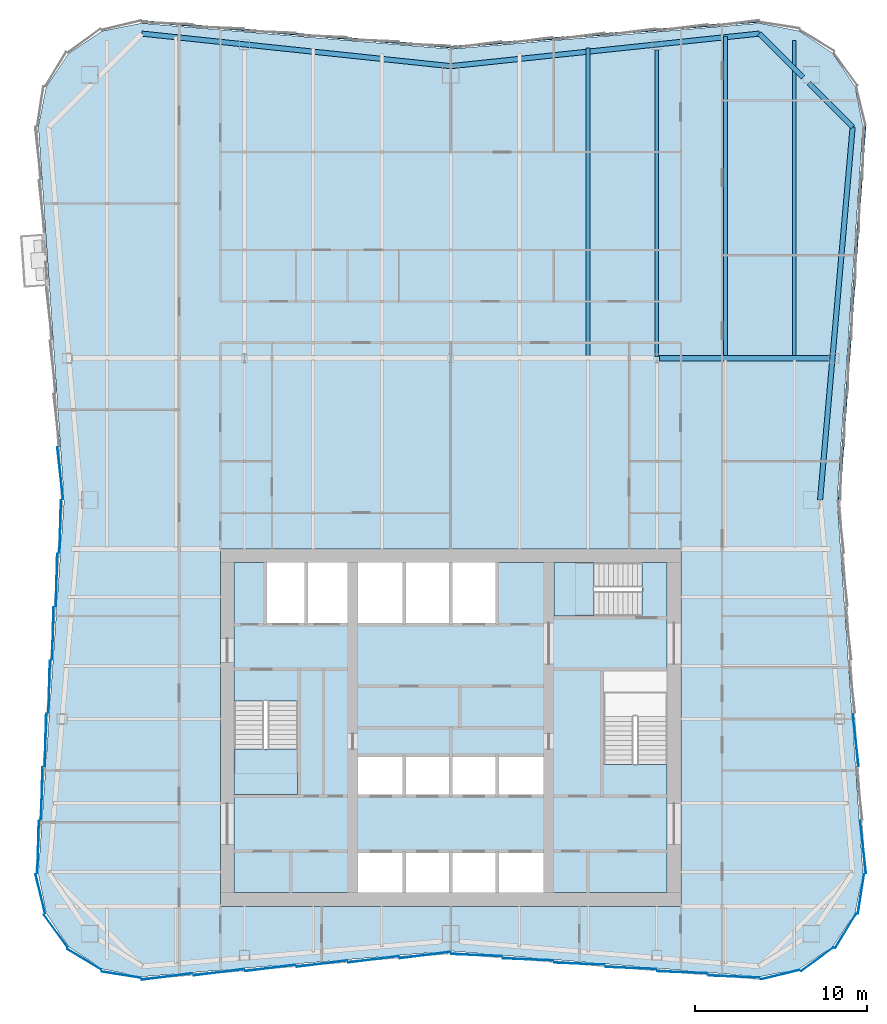
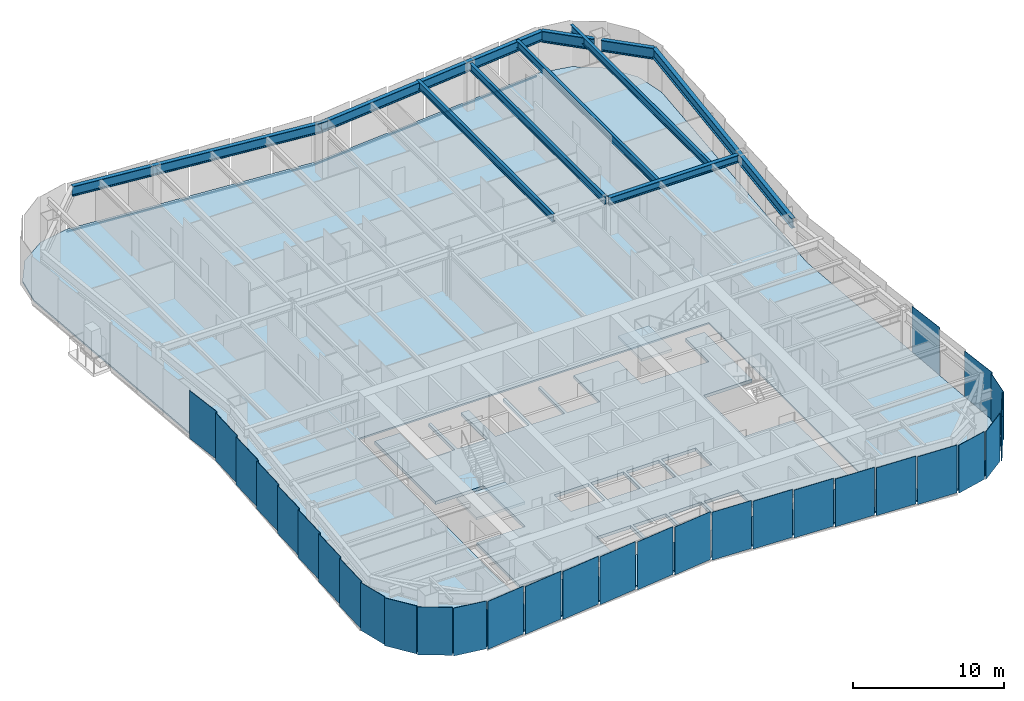
# One storey, part 4 of 12: 30 plates, 10 beams, 4 slabs, 3 members, 8 elements without a shape of their own.
"""IFC4 building model written with IfcOpenShell, lengths in metres."""

from ifc_helpers import new_model, si_unit, direction, frame, origin, origin_2d, place, context, subcontext, project, spatial, polyline, rectangle, i_section, outline, extrude, material, layer, layer_set, material_profile, profile_set, type_object, element, aggregate, save


model = new_model("IFC4")

# Units and contexts
model_context = context("Model", 3, precision=1e-05, world=origin(), true_north=direction((0.0, 1.0)))
body_context = subcontext(model_context, "Body", "Model", "MODEL_VIEW")
ifc_project = project(units=[si_unit("LENGTHUNIT", "METRE"), si_unit("AREAUNIT", "SQUARE_METRE"), si_unit("VOLUMEUNIT", "CUBIC_METRE"), si_unit("PLANEANGLEUNIT", "RADIAN"), si_unit("MASSUNIT", "GRAM", prefix="KILO")], contexts=[model_context])

# Site, building, storey
site_placement = place(None, origin())
site = spatial("IfcSite", under=ifc_project, at=site_placement, CompositionType="ELEMENT")
building_placement = place(site_placement, origin())
building = spatial("IfcBuilding", under=site, at=building_placement, Name="Verdant Reach Tower", CompositionType="ELEMENT")
storey_placement = place(building_placement, frame((0.0, 0.0, 246.0)))
storey = spatial("IfcBuildingStorey", under=building, at=storey_placement, Name="L56", CompositionType="ELEMENT", Elevation=246.0)

# Curtain wall, member
ifc_material_1 = material(Name="Anodised aluminium", Category="aluminium")
curtain_wall_type = type_object("IfcCurtainWallType", Name="EN-CW SYSTEM Z4", PredefinedType="NOTDEFINED", material=ifc_material_1)
curtain_wall_1_placement = place(storey_placement, origin())
curtain_wall_1 = element("IfcCurtainWall", 1, at=curtain_wall_1_placement, inside=storey, type_object=curtain_wall_type, Name="Curtain wall east, L56", PredefinedType="NOTDEFINED")
ifc_material_profile_1 = material_profile(ifc_material_1, rectangle(XDim=0.10009765625, YDim=0.1279296875, at=origin_2d()), Name="Transom 128x100")
ifc_profile_set_1 = profile_set([ifc_material_profile_1], Name="Anodised aluminium")
member_type = type_object("IfcMemberType", Name="EN-TRANSOM Z4", PredefinedType="USERDEFINED", material=ifc_profile_set_1)
member_1_placement = place(storey_placement, frame((22.6142578125, 41.283935546875, -0.285888671875), z_axis=(0.068770489035, 0.997632507408, 0.0), x_axis=(-0.997632507408, 0.068770489035, 0.0)))
member_1 = element("IfcMember", 2, at=member_1_placement, type_object=member_type, Name="Transom east face part 2 1.1, L56", ObjectType="TRANSOM", PredefinedType="USERDEFINED", context=body_context, shape_type="SweptSolid", body=[
    extrude(rectangle(XDim=0.10009765625, YDim=0.1279296875, at=origin_2d()), origin(), (0.0, 0.0, 1.0), 21.74072265625),
])

# Curtain wall, members
curtain_wall_2_placement = place(storey_placement, origin())
curtain_wall_2 = element("IfcCurtainWall", 3, at=curtain_wall_2_placement, inside=storey, type_object=curtain_wall_type, Name="Curtain wall north, L56", PredefinedType="NOTDEFINED")
member_2_placement = place(storey_placement, frame((17.972412109375, 69.10888671875, -0.285888671875), z_axis=(-0.996549124771, -0.083005071637, 0.0), x_axis=(0.083005071637, -0.996549124771, 0.0)))
member_2 = element("IfcMember", 4, at=member_2_placement, type_object=member_type, Name="Transom north face part 1 1.1, L56", ObjectType="TRANSOM", PredefinedType="USERDEFINED", context=body_context, shape_type="SweptSolid", body=[
    extrude(rectangle(XDim=0.10009765625, YDim=0.1279296875, at=origin_2d()), origin(), (0.0, 0.0, 1.0), 18.00048828125),
])
member_3_placement = place(storey_placement, frame((-0.033935546875, 67.61474609375, -0.285888671875), z_axis=(-0.996549124771, 0.083005071637, 0.0), x_axis=(-0.083005071637, -0.996549124771, 0.0)))
member_3 = element("IfcMember", 5, at=member_3_placement, type_object=member_type, Name="Transom north face part 2 1.1, L56", ObjectType="TRANSOM", PredefinedType="USERDEFINED", context=body_context, shape_type="SweptSolid", body=[
    extrude(rectangle(XDim=0.10009765625, YDim=0.1279296875, at=origin_2d()), origin(), (0.0, 0.0, 1.0), 18.00048828125),
])
aggregate(curtain_wall_2, [member_2, member_3])

# Beams
ifc_material_2 = material(Name="Steel S355", Category="steel")
ifc_material_profile_2 = material_profile(ifc_material_2, i_section(OverallWidth=0.300048828125, OverallDepth=0.60009765625, WebThickness=0.015380859375, FlangeThickness=0.030029296875, FilletRadius=0.027099609375, at=origin_2d()), Name="HEB 600")
ifc_profile_set_2 = profile_set([ifc_material_profile_2], Name="Steel S355")
beam_type_1 = type_object("IfcBeamType", Name="ST-BEAM-HEB600", PredefinedType="BEAM", material=ifc_profile_set_2)
beam_1_placement = place(storey_placement, frame((12.153076171875, 49.5, 3.570068359375), z_axis=(1.0, 0.0, 0.0), x_axis=(0.0, 1.0, 0.0)))
element("IfcBeam", 6, at=beam_1_placement, inside=storey, type_object=beam_type_1, Name="Row girder, L56", PredefinedType="BEAM", context=body_context, shape_type="SweptSolid", body=[
    extrude(i_section(OverallWidth=0.300048828125, OverallDepth=0.60009765625, WebThickness=0.015380859375, FlangeThickness=0.030029296875, FilletRadius=0.027099609375, at=origin_2d()), origin(), (0.0, 0.0, 1.0), 9.865966796875),
])
ifc_material_profile_3 = material_profile(ifc_material_2, i_section(OverallWidth=0.219970703125, OverallDepth=0.60009765625, WebThickness=0.011962890625, FlangeThickness=0.01904296875, FilletRadius=0.02392578125, at=origin_2d()), Name="IPE 600")
ifc_profile_set_3 = profile_set([ifc_material_profile_3], Name="Steel S355")
beam_type_2 = type_object("IfcBeamType", Name="ST-JOIST-IPE600", PredefinedType="JOIST", material=ifc_profile_set_3)
beam_2_placement = place(storey_placement, frame((8.0, 49.60009765625, 3.570068359375), z_axis=(0.0, 1.0, 0.0), x_axis=(-1.0, 0.0, 0.0)))
element("IfcBeam", 7, at=beam_2_placement, inside=storey, type_object=beam_type_2, Name="Floor joist, L56", PredefinedType="JOIST", context=body_context, shape_type="SweptSolid", body=[
    extrude(i_section(OverallWidth=0.219970703125, OverallDepth=0.60009765625, WebThickness=0.011962890625, FlangeThickness=0.01904296875, FilletRadius=0.02392578125, at=origin_2d()), origin(), (0.0, 0.0, 1.0), 17.964599609375),
])
beam_3_placement = place(storey_placement, frame((12.0, 49.60009765625, 3.570068359375), z_axis=(0.0, 1.0, 0.0), x_axis=(-1.0, 0.0, 0.0)))
element("IfcBeam", 8, at=beam_3_placement, inside=storey, type_object=beam_type_2, Name="Floor joist, L56", PredefinedType="JOIST", context=body_context, shape_type="SweptSolid", body=[
    extrude(i_section(OverallWidth=0.219970703125, OverallDepth=0.60009765625, WebThickness=0.011962890625, FlangeThickness=0.01904296875, FilletRadius=0.02392578125, at=origin_2d()), origin(), (0.0, 0.0, 1.0), 17.849853515625),
])
beam_4_placement = place(storey_placement, frame((16.0, 49.60009765625, 3.570068359375), z_axis=(0.0, 1.0, 0.0), x_axis=(-1.0, 0.0, 0.0)))
element("IfcBeam", 9, at=beam_4_placement, inside=storey, type_object=beam_type_2, Name="Floor joist, L56", PredefinedType="JOIST", context=body_context, shape_type="SweptSolid", body=[
    extrude(i_section(OverallWidth=0.219970703125, OverallDepth=0.60009765625, WebThickness=0.011962890625, FlangeThickness=0.01904296875, FilletRadius=0.02392578125, at=origin_2d()), origin(), (0.0, 0.0, 1.0), 18.631103515625),
])
beam_5_placement = place(storey_placement, frame((20.0, 49.60009765625, 3.570068359375), z_axis=(0.0, 1.0, 0.0), x_axis=(-1.0, 0.0, 0.0)))
element("IfcBeam", 10, at=beam_5_placement, inside=storey, type_object=beam_type_2, Name="Floor joist, L56", PredefinedType="JOIST", context=body_context, shape_type="SweptSolid", body=[
    extrude(i_section(OverallWidth=0.219970703125, OverallDepth=0.60009765625, WebThickness=0.011962890625, FlangeThickness=0.01904296875, FilletRadius=0.02392578125, at=origin_2d()), origin(), (0.0, 0.0, 1.0), 18.390380859375),
])
ifc_material_profile_4 = material_profile(ifc_material_2, i_section(OverallWidth=0.300048828125, OverallDepth=0.800048828125, WebThickness=0.017578125, FlangeThickness=0.032958984375, FilletRadius=0.030029296875, at=origin_2d()), Name="HEB 800")
ifc_profile_set_4 = profile_set([ifc_material_profile_4], Name="Steel S355")
beam_type_3 = type_object("IfcBeamType", Name="ST-SPANDREL-HEB800", PredefinedType="SPANDREL", material=ifc_profile_set_4)
for number, where, z_axis, x_axis, name in (
    (11, (-17.9658203125, 68.39501953125, 3.469970703125), (0.994483067002, -0.104897232783, 0.0), (0.104897232783, 0.994483067002, 0.0), "Edge beam, L56"),
    (12, (0.0, 66.5, 3.469970703125), (0.994483067002, 0.104897232783, 0.0), (-0.104897232783, 0.994483067002, 0.0), "Edge beam, L56"),
):
    element("IfcBeam", number, at=place(storey_placement, frame(where, z_axis=z_axis, x_axis=x_axis)), inside=storey, type_object=beam_type_3, Name=name, PredefinedType="SPANDREL", context=body_context, shape_type="SweptSolid", body=[
        extrude(i_section(OverallWidth=0.300048828125, OverallDepth=0.800048828125, WebThickness=0.017578125, FlangeThickness=0.032958984375, FilletRadius=0.030029296875, at=origin_2d()), origin(), (0.0, 0.0, 1.0), 18.0654296875),
    ])
beam_6_placement = place(storey_placement, frame((23.39599609375, 62.96142578125, 3.469970703125), z_axis=(-0.086996024331, -0.996208658741, 0.0), x_axis=(0.996208658741, -0.086996024331, 0.0)))
element("IfcBeam", 13, at=beam_6_placement, inside=storey, type_object=beam_type_3, Name="Edge beam, L56", PredefinedType="SPANDREL", context=body_context, shape_type="SweptSolid", body=[
    extrude(i_section(OverallWidth=0.300048828125, OverallDepth=0.800048828125, WebThickness=0.017578125, FlangeThickness=0.032958984375, FilletRadius=0.030029296875, at=origin_2d()), origin(), (0.0, 0.0, 1.0), 21.7939453125),
])
ifc_material_profile_5 = material_profile(ifc_material_2, i_section(OverallWidth=0.302001953125, OverallDepth=0.909912109375, WebThickness=0.02099609375, FlangeThickness=0.0400390625, FilletRadius=0.030029296875, at=origin_2d()), Name="HEM 900")
ifc_profile_set_5 = profile_set([ifc_material_profile_5], Name="Steel S355")
beam_type_4 = type_object("IfcBeamType", Name="ST-SPANDREL-HEM900", PredefinedType="SPANDREL", material=ifc_profile_set_5)
beam_7_placement = place(storey_placement, frame((17.9658203125, 68.39501953125, 3.4150390625), z_axis=(0.706868394255, -0.707345087777, 0.0), x_axis=(0.707345087777, 0.706868394255, 0.0)))
element("IfcBeam", 14, at=beam_7_placement, inside=storey, type_object=beam_type_4, Name="Edge beam, L56", PredefinedType="SPANDREL", context=body_context, shape_type="SweptSolid", body=[
    extrude(i_section(OverallWidth=0.302001953125, OverallDepth=0.909912109375, WebThickness=0.02099609375, FlangeThickness=0.0400390625, FilletRadius=0.030029296875, at=origin_2d()), origin(), (0.0, 0.0, 1.0), 3.5849609375),
])
beam_8_placement = place(storey_placement, frame((20.85888671875, 65.5, 3.4150390625), z_axis=(0.706902680526, -0.707310822952, 0.0), x_axis=(0.707310822952, 0.706902680526, 0.0)))
element("IfcBeam", 15, at=beam_8_placement, inside=storey, type_object=beam_type_4, Name="Edge beam, L56", PredefinedType="SPANDREL", context=body_context, shape_type="SweptSolid", body=[
    extrude(i_section(OverallWidth=0.302001953125, OverallDepth=0.909912109375, WebThickness=0.02099609375, FlangeThickness=0.0400390625, FilletRadius=0.030029296875, at=origin_2d()), origin(), (0.0, 0.0, 1.0), 3.589111328125),
])

# Stair, slab
ifc_material_3 = material(Name="Concrete C40/50", Category="concrete")
stair_type = type_object("IfcStairType", Name="CO-STAIR", PredefinedType="HALF_TURN_STAIR", material=ifc_material_3)
stair_1_placement = place(storey_placement, origin())
stair_1 = element("IfcStair", 16, at=stair_1_placement, inside=storey, type_object=stair_type, Name="L56 Exit stair 1", PredefinedType="HALF_TURN_STAIR")
ifc_layer_1 = layer(ifc_material_3, 0.199951171875)
ifc_layer_set_1 = layer_set([ifc_layer_1], Name="CO-STAIR-LANDING")
slab_type_1 = type_object("IfcSlabType", Name="CO-STAIR-LANDING", PredefinedType="LANDING", material=ifc_layer_set_1)
slab_1_placement = place(storey_placement, frame((0.0, 0.0, 1.800048828125)))
slab_1 = element("IfcSlab", 17, at=slab_1_placement, type_object=slab_type_1, Name="ST-1 landing 1", PredefinedType="LANDING", context=body_context, shape_type="SweptSolid", body=[
    extrude(outline(polyline([(-12.60009765625, 26.75), (-12.60009765625, 24.10009765625), (-8.89990234375, 24.10009765625), (-8.89990234375, 26.75), (-12.60009765625, 26.75)])), origin(), (0.0, 0.0, 1.0), 0.199951171875),
])
aggregate(stair_1, [slab_1])

stair_2_placement = place(storey_placement, origin())
stair_2 = element("IfcStair", 18, at=stair_2_placement, inside=storey, type_object=stair_type, Name="L56 Exit stair 3", PredefinedType="HALF_TURN_STAIR")
slab_2_placement = place(storey_placement, frame((0.0, 0.0, 1.800048828125)))
slab_2 = element("IfcSlab", 19, at=slab_2_placement, type_object=slab_type_1, Name="ST-3 landing 1", PredefinedType="LANDING", context=body_context, shape_type="SweptSolid", body=[
    extrude(outline(polyline([(8.35009765625, 37.60009765625), (6.0, 37.60009765625), (6.0, 34.5), (8.35009765625, 34.5), (8.35009765625, 37.60009765625)])), origin(), (0.0, 0.0, 1.0), 0.199951171875),
])
aggregate(stair_2, [slab_2])

# Plate
ifc_material_4 = material(Name="Tinted glass with champagne spandrel", Category="glass")
ifc_layer_2 = layer(ifc_material_4, 0.031982421875)
ifc_layer_set_2 = layer_set([ifc_layer_2], Name="EN-PANEL CHAMPAGNE")
plate_type_1 = type_object("IfcPlateType", Name="EN-PANEL CHAMPAGNE", PredefinedType="CURTAIN_PANEL", material=ifc_layer_set_2)
plate_1_placement = place(storey_placement, frame((23.575927734375, 27.275634765625, -0.221923828125), z_axis=(0.0, 0.0, 1.0), x_axis=(-0.110518162674, 0.993874104562, 0.0)))
plate_1 = element("IfcPlate", 20, at=plate_1_placement, type_object=plate_type_1, Name="Glass panel east face part 1 3.1, L56", PredefinedType="CURTAIN_PANEL", context=body_context, shape_type="SweptSolid", body=[
    extrude(rectangle(XDim=3.050537109375, YDim=0.031982421875, at=origin_2d()), origin(), (0.0, 0.0, 1.0), 3.8720703125),
])

# Curtain wall, plates
curtain_wall_3_placement = place(storey_placement, origin())
curtain_wall_3 = element("IfcCurtainWall", 21, at=curtain_wall_3_placement, inside=storey, type_object=curtain_wall_type, Name="Curtain wall west, L56", PredefinedType="NOTDEFINED")
plate_2_placement = place(storey_placement, frame((-22.718994140625, 42.7998046875, -0.221923828125), z_axis=(0.0, 0.0, 1.0), x_axis=(0.110603065042, -0.993864659802, 0.0)))
plate_2 = element("IfcPlate", 22, at=plate_2_placement, type_object=plate_type_1, Name="Glass panel west face part 1 7.1, L56", PredefinedType="CURTAIN_PANEL", context=body_context, shape_type="SweptSolid", body=[
    extrude(rectangle(XDim=3.042724609375, YDim=0.031982421875, at=origin_2d()), origin(), (0.0, 0.0, 1.0), 3.8720703125),
])
plate_3_placement = place(storey_placement, frame((-22.718994140625, 39.7001953125, -0.221923828125), z_axis=(0.0, 0.0, 1.0), x_axis=(-0.027050713229, -0.999634062502, 0.0)))
plate_3 = element("IfcPlate", 23, at=plate_3_placement, type_object=plate_type_1, Name="Glass panel west face part 2 1.1, L56", PredefinedType="CURTAIN_PANEL", context=body_context, shape_type="SweptSolid", body=[
    extrude(rectangle(XDim=3.042724609375, YDim=0.031982421875, at=origin_2d()), origin(), (0.0, 0.0, 1.0), 3.8720703125),
])
plate_4_placement = place(storey_placement, frame((-22.93310546875, 36.596923828125, -0.221923828125), z_axis=(0.0, 0.0, 1.0), x_axis=(-0.026965318308, -0.999636369691, 0.0)))
plate_4 = element("IfcPlate", 24, at=plate_4_placement, type_object=plate_type_1, Name="Glass panel west face part 2 2.1, L56", PredefinedType="CURTAIN_PANEL", context=body_context, shape_type="SweptSolid", body=[
    extrude(rectangle(XDim=3.050537109375, YDim=0.031982421875, at=origin_2d()), origin(), (0.0, 0.0, 1.0), 3.8720703125),
])
plate_5_placement = place(storey_placement, frame((-23.1474609375, 33.48974609375, -0.221923828125), z_axis=(0.0, 0.0, 1.0), x_axis=(-0.026965318308, -0.999636369691, 0.0)))
plate_5 = element("IfcPlate", 25, at=plate_5_placement, type_object=plate_type_1, Name="Glass panel west face part 2 3.1, L56", PredefinedType="CURTAIN_PANEL", context=body_context, shape_type="SweptSolid", body=[
    extrude(rectangle(XDim=3.050537109375, YDim=0.031982421875, at=origin_2d()), origin(), (0.0, 0.0, 1.0), 3.8720703125),
])

# Curtain wall, plate
curtain_wall_4_placement = place(storey_placement, origin())
curtain_wall_4 = element("IfcCurtainWall", 26, at=curtain_wall_4_placement, inside=storey, type_object=curtain_wall_type, Name="Curtain wall south-west corner, L56", PredefinedType="NOTDEFINED")
plate_6_placement = place(storey_placement, frame((-23.87939453125, 18.326904296875, -0.221923828125), z_axis=(0.0, 0.0, 1.0), x_axis=(0.236458850433, -0.971641503875, 0.0)))
plate_6 = element("IfcPlate", 27, at=plate_6_placement, type_object=plate_type_1, Name="Glass panel south-west corner 1.1, L56", PredefinedType="CURTAIN_PANEL", context=body_context, shape_type="SweptSolid", body=[
    extrude(rectangle(XDim=2.313720703125, YDim=0.031982421875, at=origin_2d()), origin(), (0.0, 0.0, 1.0), 3.8720703125),
])

# Curtain wall, plates
curtain_wall_5_placement = place(storey_placement, origin())
curtain_wall_5 = element("IfcCurtainWall", 28, at=curtain_wall_5_placement, inside=storey, type_object=curtain_wall_type, Name="Curtain wall south, L56", PredefinedType="NOTDEFINED")
plate_7_placement = place(storey_placement, frame((-4.49072265625, 14.513427734375, -0.221923828125), z_axis=(0.0, 0.0, 1.0), x_axis=(0.992194034542, 0.124703639961, 0.0)))
plate_7 = element("IfcPlate", 29, at=plate_7_placement, type_object=plate_type_1, Name="Glass panel south face part 1 5.1, L56", PredefinedType="CURTAIN_PANEL", context=body_context, shape_type="SweptSolid", body=[
    extrude(rectangle(XDim=2.9462890625, YDim=0.031982421875, at=origin_2d()), origin(), (0.0, 0.0, 1.0), 3.8720703125),
])
plate_8_placement = place(storey_placement, frame((-1.495361328125, 14.76318359375, -0.221923828125), z_axis=(0.0, 0.0, 1.0), x_axis=(0.992177950603, 0.124831543836, 0.0)))
plate_8 = element("IfcPlate", 30, at=plate_8_placement, type_object=plate_type_1, Name="Glass panel south face part 1 6.1, L56", PredefinedType="CURTAIN_PANEL", context=body_context, shape_type="SweptSolid", body=[
    extrude(rectangle(XDim=2.93701171875, YDim=0.031982421875, at=origin_2d()), origin(), (0.0, 0.0, 1.0), 3.8720703125),
])
plate_9_placement = place(storey_placement, frame((16.49853515625, 13.51318359375, -0.221923828125), z_axis=(0.0, 0.0, 1.0), x_axis=(0.999164016711, -0.040881141246, 0.0)))
plate_9 = element("IfcPlate", 31, at=plate_9_placement, type_object=plate_type_1, Name="Glass panel south face part 2 6.1, L56", PredefinedType="CURTAIN_PANEL", context=body_context, shape_type="SweptSolid", body=[
    extrude(rectangle(XDim=2.9619140625, YDim=0.031982421875, at=origin_2d()), origin(), (0.0, 0.0, 1.0), 3.8720703125),
])

# Curtain wall, plate
curtain_wall_6_placement = place(storey_placement, origin())
curtain_wall_6 = element("IfcCurtainWall", 32, at=curtain_wall_6_placement, inside=storey, type_object=curtain_wall_type, Name="Curtain wall south-east corner, L56", PredefinedType="NOTDEFINED")
ifc_material_5 = material(Name="Tinted glass with copper spandrel", Category="glass")
ifc_layer_3 = layer(ifc_material_5, 0.031982421875)
ifc_layer_set_3 = layer_set([ifc_layer_3], Name="EN-PANEL COPPER")
plate_type_2 = type_object("IfcPlateType", Name="EN-PANEL COPPER", PredefinedType="CURTAIN_PANEL", material=ifc_layer_set_3)
plate_10_placement = place(storey_placement, frame((19.172607421875, 13.62060546875, -0.221923828125), z_axis=(0.0, 0.0, 1.0), x_axis=(0.971652337104, 0.236414330786, 0.0)))
plate_10 = element("IfcPlate", 33, at=plate_10_placement, type_object=plate_type_2, Name="Glass panel south-east corner 1.1, L56", PredefinedType="CURTAIN_PANEL", context=body_context, shape_type="SweptSolid", body=[
    extrude(rectangle(XDim=2.314453125, YDim=0.031982421875, at=origin_2d()), origin(), (0.0, 0.0, 1.0), 3.8720703125),
])

# Plate
plate_11_placement = place(storey_placement, frame((-23.36181640625, 30.3828125, -0.221923828125), z_axis=(0.0, 0.0, 1.0), x_axis=(-0.026965318308, -0.999636369691, 0.0)))
plate_11 = element("IfcPlate", 34, at=plate_11_placement, type_object=plate_type_2, Name="Glass panel west face part 2 4.1, L56", PredefinedType="CURTAIN_PANEL", context=body_context, shape_type="SweptSolid", body=[
    extrude(rectangle(XDim=3.050537109375, YDim=0.031982421875, at=origin_2d()), origin(), (0.0, 0.0, 1.0), 3.8720703125),
])

plate_12_placement = place(storey_placement, frame((-23.575927734375, 27.275634765625, -0.221923828125), z_axis=(0.0, 0.0, 1.0), x_axis=(-0.026965318308, -0.999636369691, 0.0)))
plate_12 = element("IfcPlate", 35, at=plate_12_placement, type_object=plate_type_2, Name="Glass panel west face part 2 5.1, L56", PredefinedType="CURTAIN_PANEL", context=body_context, shape_type="SweptSolid", body=[
    extrude(rectangle(XDim=3.050537109375, YDim=0.031982421875, at=origin_2d()), origin(), (0.0, 0.0, 1.0), 3.8720703125),
])

plate_13_placement = place(storey_placement, frame((-22.984375, 16.169677734375, -0.221923828125), z_axis=(0.0, 0.0, 1.0), x_axis=(0.589926737254, -0.80745677573, 0.0)))
plate_13 = element("IfcPlate", 36, at=plate_13_placement, type_object=plate_type_2, Name="Glass panel south-west corner 2.1, L56", PredefinedType="CURTAIN_PANEL", context=body_context, shape_type="SweptSolid", body=[
    extrude(rectangle(XDim=2.32080078125, YDim=0.031982421875, at=origin_2d()), origin(), (0.0, 0.0, 1.0), 3.8720703125),
])

plate_14_placement = place(storey_placement, frame((-21.330322265625, 14.515625, -0.221923828125), z_axis=(0.0, 0.0, 1.0), x_axis=(0.853988708265, -0.520291539577, 0.0)))
plate_14 = element("IfcPlate", 37, at=plate_14_placement, type_object=plate_type_2, Name="Glass panel south-west corner 3.1, L56", PredefinedType="CURTAIN_PANEL", context=body_context, shape_type="SweptSolid", body=[
    extrude(rectangle(XDim=2.32080078125, YDim=0.031982421875, at=origin_2d()), origin(), (0.0, 0.0, 1.0), 3.8720703125),
])

plate_15_placement = place(storey_placement, frame((-19.172607421875, 13.62060546875, -0.221923828125), z_axis=(0.0, 0.0, 1.0), x_axis=(0.98802725693, -0.154279420415, 0.0)))
plate_15 = element("IfcPlate", 38, at=plate_15_placement, type_object=plate_type_2, Name="Glass panel south-west corner 4.1, L56", PredefinedType="CURTAIN_PANEL", context=body_context, shape_type="SweptSolid", body=[
    extrude(rectangle(XDim=2.314453125, YDim=0.031982421875, at=origin_2d()), origin(), (0.0, 0.0, 1.0), 3.8720703125),
])

aggregate(curtain_wall_4, [plate_6, plate_13, plate_14, plate_15])

plate_16_placement = place(storey_placement, frame((-16.49853515625, 13.51318359375, -0.221923828125), z_axis=(0.0, 0.0, 1.0), x_axis=(0.992238962139, 0.124345655383, 0.0)))
plate_16 = element("IfcPlate", 39, at=plate_16_placement, type_object=plate_type_2, Name="Glass panel south face part 1 1.1, L56", PredefinedType="CURTAIN_PANEL", context=body_context, shape_type="SweptSolid", body=[
    extrude(rectangle(XDim=2.9619140625, YDim=0.031982421875, at=origin_2d()), origin(), (0.0, 0.0, 1.0), 3.8720703125),
])

plate_17_placement = place(storey_placement, frame((1.495361328125, 14.76318359375, -0.221923828125), z_axis=(0.0, 0.0, 1.0), x_axis=(0.999143877249, -0.041370430933, 0.0)))
plate_17 = element("IfcPlate", 40, at=plate_17_placement, type_object=plate_type_2, Name="Glass panel south face part 2 1.1, L56", PredefinedType="CURTAIN_PANEL", context=body_context, shape_type="SweptSolid", body=[
    extrude(rectangle(XDim=2.93701171875, YDim=0.031982421875, at=origin_2d()), origin(), (0.0, 0.0, 1.0), 3.8720703125),
])

plate_18_placement = place(storey_placement, frame((4.49072265625, 14.513427734375, -0.221923828125), z_axis=(0.0, 0.0, 1.0), x_axis=(0.999149202059, -0.041241629766, 0.0)))
plate_18 = element("IfcPlate", 41, at=plate_18_placement, type_object=plate_type_2, Name="Glass panel south face part 2 2.1, L56", PredefinedType="CURTAIN_PANEL", context=body_context, shape_type="SweptSolid", body=[
    extrude(rectangle(XDim=2.9462890625, YDim=0.031982421875, at=origin_2d()), origin(), (0.0, 0.0, 1.0), 3.8720703125),
])

plate_19_placement = place(storey_placement, frame((7.49072265625, 14.263427734375, -0.221923828125), z_axis=(0.0, 0.0, 1.0), x_axis=(0.999149202059, -0.041241629766, 0.0)))
plate_19 = element("IfcPlate", 42, at=plate_19_placement, type_object=plate_type_2, Name="Glass panel south face part 2 3.1, L56", PredefinedType="CURTAIN_PANEL", context=body_context, shape_type="SweptSolid", body=[
    extrude(rectangle(XDim=2.9462890625, YDim=0.031982421875, at=origin_2d()), origin(), (0.0, 0.0, 1.0), 3.8720703125),
])

ifc_material_6 = material(Name="Tinted glass with dark bronze spandrel", Category="glass")
ifc_layer_4 = layer(ifc_material_6, 0.031982421875)
ifc_layer_set_4 = layer_set([ifc_layer_4], Name="EN-PANEL DARK")
plate_type_3 = type_object("IfcPlateType", Name="EN-PANEL DARK", PredefinedType="CURTAIN_PANEL", material=ifc_layer_set_4)
plate_20_placement = place(storey_placement, frame((21.330322265625, 14.515625, -0.221923828125), z_axis=(0.0, 0.0, 1.0), x_axis=(0.80745677573, 0.589926737254, 0.0)))
plate_20 = element("IfcPlate", 43, at=plate_20_placement, type_object=plate_type_3, Name="Glass panel south-east corner 2.1, L56", PredefinedType="CURTAIN_PANEL", context=body_context, shape_type="SweptSolid", body=[
    extrude(rectangle(XDim=2.32080078125, YDim=0.031982421875, at=origin_2d()), origin(), (0.0, 0.0, 1.0), 3.8720703125),
])

plate_21_placement = place(storey_placement, frame((22.984375, 16.169677734375, -0.221923828125), z_axis=(0.0, 0.0, 1.0), x_axis=(0.520291539577, 0.853988708265, 0.0)))
plate_21 = element("IfcPlate", 44, at=plate_21_placement, type_object=plate_type_3, Name="Glass panel south-east corner 3.1, L56", PredefinedType="CURTAIN_PANEL", context=body_context, shape_type="SweptSolid", body=[
    extrude(rectangle(XDim=2.32080078125, YDim=0.031982421875, at=origin_2d()), origin(), (0.0, 0.0, 1.0), 3.8720703125),
])

plate_22_placement = place(storey_placement, frame((23.87939453125, 18.326904296875, -0.221923828125), z_axis=(0.0, 0.0, 1.0), x_axis=(0.154324690427, 0.988020187003, 0.0)))
plate_22 = element("IfcPlate", 45, at=plate_22_placement, type_object=plate_type_3, Name="Glass panel south-east corner 4.1, L56", PredefinedType="CURTAIN_PANEL", context=body_context, shape_type="SweptSolid", body=[
    extrude(rectangle(XDim=2.313720703125, YDim=0.031982421875, at=origin_2d()), origin(), (0.0, 0.0, 1.0), 3.8720703125),
])

aggregate(curtain_wall_6, [plate_10, plate_20, plate_21, plate_22])

plate_23_placement = place(storey_placement, frame((24.004638671875, 21.053955078125, -0.221923828125), z_axis=(0.0, 0.0, 1.0), x_axis=(-0.110205903836, 0.993908777886, 0.0)))
plate_23 = element("IfcPlate", 46, at=plate_23_placement, type_object=plate_type_3, Name="Glass panel east face part 1 1.1, L56", PredefinedType="CURTAIN_PANEL", context=body_context, shape_type="SweptSolid", body=[
    extrude(rectangle(XDim=3.0654296875, YDim=0.031982421875, at=origin_2d()), origin(), (0.0, 0.0, 1.0), 3.8720703125),
])

aggregate(curtain_wall_1, [plate_23, plate_1, member_1])

plate_24_placement = place(storey_placement, frame((-23.790283203125, 24.16845703125, -0.221923828125), z_axis=(0.0, 0.0, 1.0), x_axis=(-0.026965318308, -0.999636369691, 0.0)))
plate_24 = element("IfcPlate", 47, at=plate_24_placement, type_object=plate_type_3, Name="Glass panel west face part 2 6.1, L56", PredefinedType="CURTAIN_PANEL", context=body_context, shape_type="SweptSolid", body=[
    extrude(rectangle(XDim=3.050537109375, YDim=0.031982421875, at=origin_2d()), origin(), (0.0, 0.0, 1.0), 3.8720703125),
])

plate_25_placement = place(storey_placement, frame((-24.004638671875, 21.053955078125, -0.221923828125), z_axis=(0.0, 0.0, 1.0), x_axis=(-0.026651253217, -0.999644792265, 0.0)))
plate_25 = element("IfcPlate", 48, at=plate_25_placement, type_object=plate_type_3, Name="Glass panel west face part 2 7.1, L56", PredefinedType="CURTAIN_PANEL", context=body_context, shape_type="SweptSolid", body=[
    extrude(rectangle(XDim=3.0654296875, YDim=0.031982421875, at=origin_2d()), origin(), (0.0, 0.0, 1.0), 3.8720703125),
])

aggregate(curtain_wall_3, [plate_2, plate_3, plate_4, plate_5, plate_11, plate_12, plate_24, plate_25])

plate_26_placement = place(storey_placement, frame((-13.49072265625, 13.763427734375, -0.221923828125), z_axis=(0.0, 0.0, 1.0), x_axis=(0.992194034542, 0.124703639961, 0.0)))
plate_26 = element("IfcPlate", 49, at=plate_26_placement, type_object=plate_type_3, Name="Glass panel south face part 1 2.1, L56", PredefinedType="CURTAIN_PANEL", context=body_context, shape_type="SweptSolid", body=[
    extrude(rectangle(XDim=2.9462890625, YDim=0.031982421875, at=origin_2d()), origin(), (0.0, 0.0, 1.0), 3.8720703125),
])

plate_27_placement = place(storey_placement, frame((-10.49072265625, 14.013427734375, -0.221923828125), z_axis=(0.0, 0.0, 1.0), x_axis=(0.992194034542, 0.124703639961, 0.0)))
plate_27 = element("IfcPlate", 50, at=plate_27_placement, type_object=plate_type_3, Name="Glass panel south face part 1 3.1, L56", PredefinedType="CURTAIN_PANEL", context=body_context, shape_type="SweptSolid", body=[
    extrude(rectangle(XDim=2.9462890625, YDim=0.031982421875, at=origin_2d()), origin(), (0.0, 0.0, 1.0), 3.8720703125),
])

plate_28_placement = place(storey_placement, frame((-7.49072265625, 14.263427734375, -0.221923828125), z_axis=(0.0, 0.0, 1.0), x_axis=(0.992194034542, 0.124703639961, 0.0)))
plate_28 = element("IfcPlate", 51, at=plate_28_placement, type_object=plate_type_3, Name="Glass panel south face part 1 4.1, L56", PredefinedType="CURTAIN_PANEL", context=body_context, shape_type="SweptSolid", body=[
    extrude(rectangle(XDim=2.9462890625, YDim=0.031982421875, at=origin_2d()), origin(), (0.0, 0.0, 1.0), 3.8720703125),
])

plate_29_placement = place(storey_placement, frame((10.49072265625, 14.013427734375, -0.221923828125), z_axis=(0.0, 0.0, 1.0), x_axis=(0.999149202059, -0.041241629766, 0.0)))
plate_29 = element("IfcPlate", 52, at=plate_29_placement, type_object=plate_type_3, Name="Glass panel south face part 2 4.1, L56", PredefinedType="CURTAIN_PANEL", context=body_context, shape_type="SweptSolid", body=[
    extrude(rectangle(XDim=2.9462890625, YDim=0.031982421875, at=origin_2d()), origin(), (0.0, 0.0, 1.0), 3.8720703125),
])

plate_30_placement = place(storey_placement, frame((13.49072265625, 13.763427734375, -0.221923828125), z_axis=(0.0, 0.0, 1.0), x_axis=(0.999149202059, -0.041241629766, 0.0)))
plate_30 = element("IfcPlate", 53, at=plate_30_placement, type_object=plate_type_3, Name="Glass panel south face part 2 5.1, L56", PredefinedType="CURTAIN_PANEL", context=body_context, shape_type="SweptSolid", body=[
    extrude(rectangle(XDim=2.9462890625, YDim=0.031982421875, at=origin_2d()), origin(), (0.0, 0.0, 1.0), 3.8720703125),
])

aggregate(curtain_wall_5, [plate_16, plate_26, plate_27, plate_28, plate_7, plate_8, plate_17, plate_18, plate_19, plate_29, plate_30, plate_9])

# Slabs
ifc_material_7 = material(Name="Concrete C35/45", Category="concrete")
ifc_layer_5 = layer(ifc_material_7, 0.1298828125)
ifc_layer_set_5 = layer_set([ifc_layer_5], Name="ST-SLAB-130")
slab_type_2 = type_object("IfcSlabType", Name="ST-SLAB-130", PredefinedType="FLOOR", material=ifc_layer_set_5)
slab_3_placement = place(storey_placement, frame((0.0, 0.0, -0.1298828125)))
element("IfcSlab", 54, at=slab_3_placement, inside=storey, type_object=slab_type_2, Name="Floor slab L56", PredefinedType="FLOOR", context=body_context, shape_type="SweptSolid", body=[
    extrude(outline(polyline([(0.0, 15.0), (-18.0, 13.5), (-20.296142578125, 13.956787109375), (-22.24267578125, 15.25732421875), (-23.543212890625, 17.203857421875), (-24.0, 19.5), (-22.5, 41.25), (-24.0, 63.0), (-23.543212890625, 65.296142578125), (-22.24267578125, 67.24267578125), (-20.296142578125, 68.543212890625), (-18.0, 69.0), (0.0, 67.5), (18.0, 69.0), (20.296142578125, 68.543212890625), (22.24267578125, 67.24267578125), (23.543212890625, 65.296142578125), (24.0, 63.0), (22.5, 41.25), (24.0, 19.5), (23.543212890625, 17.203857421875), (22.24267578125, 15.25732421875), (20.296142578125, 13.956787109375), (18.0, 13.5), (0.0, 15.0)]), holes=[polyline([(13.39990234375, 38.39990234375), (-13.39990234375, 38.39990234375), (-13.39990234375, 17.60009765625), (13.39990234375, 17.60009765625), (13.39990234375, 38.39990234375)])]), origin(), (0.0, 0.0, 1.0), 0.1298828125),
])
ifc_layer_6 = layer(ifc_material_7, 0.25)
ifc_layer_set_6 = layer_set([ifc_layer_6], Name="ST-SLAB-250")
slab_type_3 = type_object("IfcSlabType", Name="ST-SLAB-250", PredefinedType="FLOOR", material=ifc_layer_set_6)
slab_4_placement = place(storey_placement, frame((0.0, 0.0, -0.25)))
element("IfcSlab", 55, at=slab_4_placement, inside=storey, type_object=slab_type_3, Name="Core floor slab L56", PredefinedType="FLOOR", context=body_context, shape_type="SweptSolid", body=[
    extrude(outline(polyline([(12.60009765625, 18.39990234375), (5.39990234375, 18.39990234375), (5.39990234375, 20.699951171875), (2.800048828125, 20.699951171875), (2.800048828125, 18.39990234375), (2.60009765625, 18.39990234375), (2.60009765625, 20.699951171875), (0.10009765625, 20.699951171875), (0.10009765625, 18.39990234375), (-0.10009765625, 18.39990234375), (-0.10009765625, 20.699951171875), (-2.60009765625, 20.699951171875), (-2.60009765625, 18.39990234375), (-2.800048828125, 18.39990234375), (-2.800048828125, 20.699951171875), (-5.39990234375, 20.699951171875), (-5.39990234375, 18.39990234375), (-12.60009765625, 18.39990234375), (-12.60009765625, 24.10009765625), (-8.89990234375, 24.10009765625), (-8.89990234375, 29.548095703125), (-12.60009765625, 29.548095703125), (-12.60009765625, 37.60009765625), (-10.699951171875, 37.60009765625), (-10.699951171875, 34.10009765625), (-8.5, 34.10009765625), (-8.5, 37.60009765625), (-8.300048828125, 37.60009765625), (-8.300048828125, 34.10009765625), (-6.0, 34.10009765625), (-6.0, 37.60009765625), (-5.39990234375, 37.60009765625), (-5.39990234375, 34.10009765625), (-2.800048828125, 34.10009765625), (-2.800048828125, 37.60009765625), (-2.60009765625, 37.60009765625), (-2.60009765625, 34.10009765625), (-0.10009765625, 34.10009765625), (-0.10009765625, 37.60009765625), (0.10009765625, 37.60009765625), (0.10009765625, 34.10009765625), (2.60009765625, 34.10009765625), (2.60009765625, 37.60009765625), (6.0, 37.60009765625), (6.0, 34.5), (11.14794921875, 34.5), (11.14794921875, 37.60009765625), (12.60009765625, 37.60009765625), (12.60009765625, 31.300048828125), (8.89990234375, 31.300048828125), (8.89990234375, 25.85205078125), (12.60009765625, 25.85205078125), (12.60009765625, 18.39990234375)]), holes=[polyline([(-2.800048828125, 24.10009765625), (-2.800048828125, 26.300048828125), (-5.39990234375, 26.300048828125), (-5.39990234375, 24.10009765625), (-2.800048828125, 24.10009765625)]), polyline([(-0.10009765625, 24.10009765625), (-0.10009765625, 26.300048828125), (-2.60009765625, 26.300048828125), (-2.60009765625, 24.10009765625), (-0.10009765625, 24.10009765625)]), polyline([(2.60009765625, 24.10009765625), (2.60009765625, 26.300048828125), (0.10009765625, 26.300048828125), (0.10009765625, 24.10009765625), (2.60009765625, 24.10009765625)]), polyline([(5.39990234375, 24.10009765625), (5.39990234375, 26.300048828125), (2.800048828125, 26.300048828125), (2.800048828125, 24.10009765625), (5.39990234375, 24.10009765625)])]), origin(), (0.0, 0.0, 1.0), 0.25),
])

save(model, "model.ifc")
